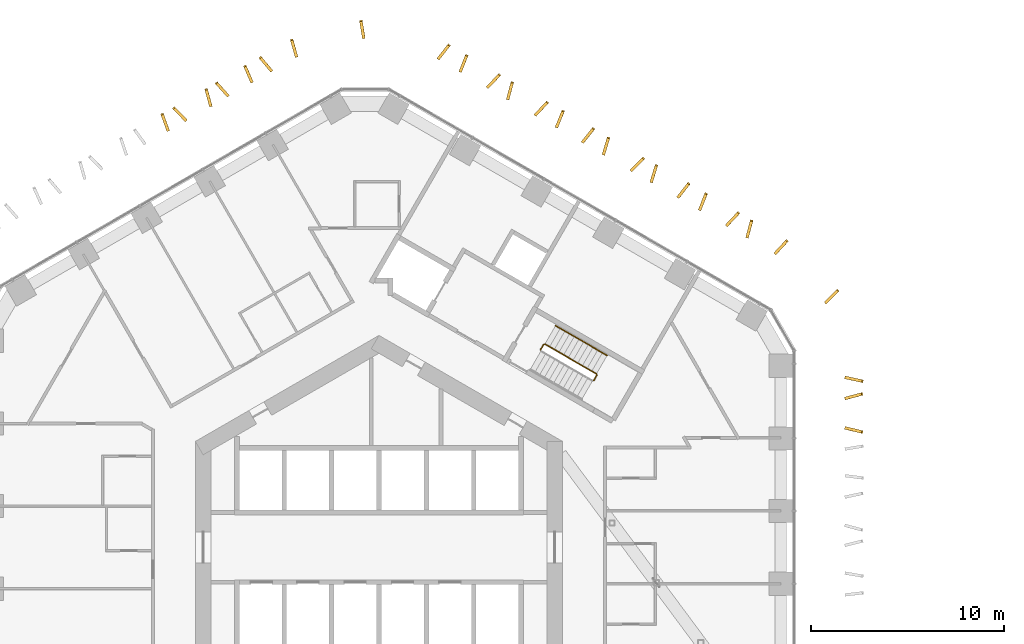
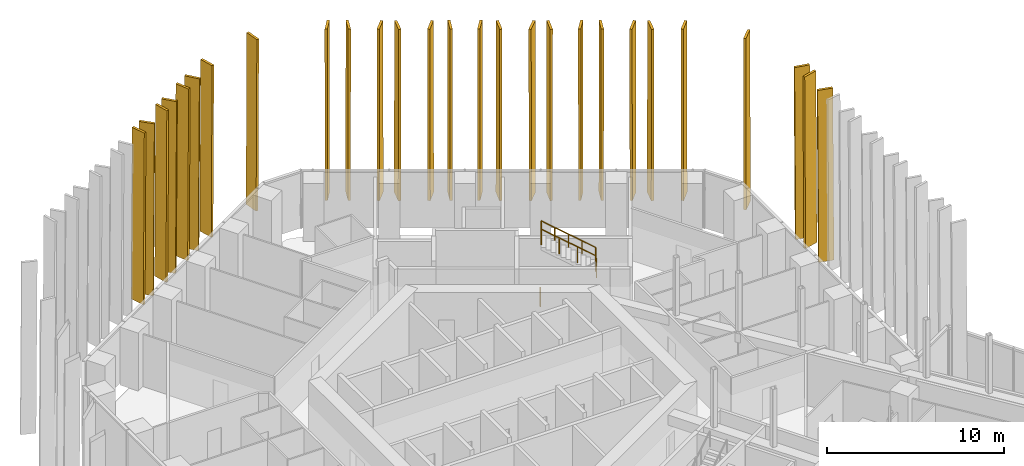
# One storey, part 29 of 29: 27 shading devices, 5 railings.
"""IFC4 building model written with IfcOpenShell, lengths in metres."""

from ifc_helpers import new_model, si_unit, direction, frame, origin, origin_2d, place, context, subcontext, project, spatial, polyline, circle, outline, extrude, material, layer, layer_set, type_object, element, save


model = new_model("IFC4")

# Units and contexts
model_context = context("Model", 3, precision=1e-05, world=origin(), true_north=direction((0.0, 1.0)))
body_context = subcontext(model_context, "Body", "Model", "MODEL_VIEW")
ifc_project = project(units=[si_unit("LENGTHUNIT", "METRE"), si_unit("AREAUNIT", "SQUARE_METRE"), si_unit("VOLUMEUNIT", "CUBIC_METRE"), si_unit("PLANEANGLEUNIT", "RADIAN"), si_unit("MASSUNIT", "GRAM", prefix="KILO")], contexts=[model_context])

# Site, building, storey
site_placement = place(None, origin())
site = spatial("IfcSite", under=ifc_project, at=site_placement, CompositionType="ELEMENT")
building_placement = place(site_placement, origin())
building = spatial("IfcBuilding", under=site, at=building_placement, Name="Ayvan Gate Tower", CompositionType="ELEMENT")
storey_placement = place(building_placement, frame((0.0, 0.0, 66.300048828125)))
storey = spatial("IfcBuildingStorey", under=building, at=storey_placement, Name="L17", CompositionType="ELEMENT", Elevation=66.300048828125)

# Shading devices
ifc_material_1 = material(Name="Bronze anodised aluminium", Category="aluminium")
ifc_layer = layer(ifc_material_1, 0.14990234375)
ifc_layer_set = layer_set([ifc_layer], Name="Bronze anodised aluminium")
shading_device_type = type_object("IfcShadingDeviceType", Name="Bronze fin 900 x 150", PredefinedType="USERDEFINED", material=ifc_layer_set)
shading_device_1_placement = place(storey_placement, frame((24.150634765625, 6.100830078125, 0.0), z_axis=(-0.238417024728, -0.971162863524, 0.00012178894), x_axis=(0.971162870726, -0.238417026496, -3.938e-09)))
element("IfcShadingDevice", 1, at=shading_device_1_placement, inside=storey, type_object=shading_device_type, Name="Bronze fin FG05.6.64", ObjectType="FIN", PredefinedType="USERDEFINED", context=body_context, shape_type="SweptSolid", body=[
    extrude(outline(polyline([(0.0, 0.0), (0.8999833113987153, 3.3881317890172014e-21), (0.8312428486510043, 11.879882903878226), (-0.06897756305794679, 11.879882896788288), (0.0, 0.0)])), origin(), (0.0, 0.0, -1.0), 0.14990234375),
])
shading_device_2_placement = place(storey_placement, frame((24.185302734375, 7.646240234375, 0.0), z_axis=(0.257282762737, -0.966336154193, 0.000130759641), x_axis=(0.966336162455, 0.257282764934, -2.1698e-08)))
element("IfcShadingDevice", 2, at=shading_device_2_placement, inside=storey, type_object=shading_device_type, Name="Bronze fin FG05.6.65", ObjectType="FIN", PredefinedType="USERDEFINED", context=body_context, shape_type="SweptSolid", body=[
    extrude(outline(polyline([(0.0, 0.0), (0.9001366718710863, 3.3881317890172014e-21), (0.8311122180161622, 11.879882932095166), (-0.06885134511529498, 11.879882893036429), (0.0, 0.0)])), origin(), (0.0, 0.0, -1.0), 0.14990234375),
])
shading_device_3_placement = place(storey_placement, frame((24.15576171875, 8.710205078125, 0.0), z_axis=(-0.211196199176, -0.977443680963, 0.000126485872), x_axis=(0.977443688782, -0.211196200867, -1.6769e-08)))
element("IfcShadingDevice", 3, at=shading_device_3_placement, inside=storey, type_object=shading_device_type, Name="Bronze fin FG05.6.66", ObjectType="FIN", PredefinedType="USERDEFINED", context=body_context, shape_type="SweptSolid", body=[
    extrude(outline(polyline([(0.0, 0.0), (0.8999637331924241, 3.3881317890172014e-21), (0.831174832805497, 11.879882921469544), (-0.06873733881444964, 11.879882891286616), (0.0, 0.0)])), origin(), (0.0, 0.0, -1.0), 0.14990234375),
])
shading_device_4_placement = place(storey_placement, frame((23.191650390625, 12.63232421875, 0.0), z_axis=(0.706835489444, -0.707377957202, 0.000128560177), x_axis=(0.707377963048, 0.706835495285, 0.0)))
element("IfcShadingDevice", 4, at=shading_device_4_placement, inside=storey, type_object=shading_device_type, Name="Bronze fin FG05.7.67", ObjectType="FIN", PredefinedType="USERDEFINED", context=body_context, shape_type="SweptSolid", body=[
    extrude(outline(polyline([(0.0, 0.0), (0.9001110909034546, -6.776263578034403e-21), (0.8312297368892299, 11.879882910673683), (-0.06888135401422474, 11.879882910673683), (0.0, 0.0)])), origin(), (0.0, 0.0, -1.0), 0.14990234375),
])
shading_device_5_placement = place(storey_placement, frame((20.580810546875, 15.18505859375, 0.0), z_axis=(0.731749358823, -0.681573809756, 0.0001331014), x_axis=(0.681573815794, 0.731749365305, 0.0)))
element("IfcShadingDevice", 5, at=shading_device_5_placement, inside=storey, type_object=shading_device_type, Name="Bronze fin FG05.8.68", ObjectType="FIN", PredefinedType="USERDEFINED", context=body_context, shape_type="SweptSolid", body=[
    extrude(outline(polyline([(0.0, 0.0), (0.9001598600299624, -6.776263578034403e-21), (0.8312918391552091, 11.8798829177319), (-0.0688680208747533, 11.8798829177319), (0.0, 0.0)])), origin(), (0.0, 0.0, -1.0), 0.14990234375),
])
shading_device_6_placement = place(storey_placement, frame((19.13134765625, 16.058837890625, 0.0), z_axis=(0.965937147481, -0.258776758971, 0.000127014652), x_axis=(0.258776761059, 0.965937155273, 0.0)))
element("IfcShadingDevice", 6, at=shading_device_6_placement, inside=storey, type_object=shading_device_type, Name="Bronze fin FG05.8.69", ObjectType="FIN", PredefinedType="USERDEFINED", context=body_context, shape_type="SweptSolid", body=[
    extrude(outline(polyline([(0.0, 0.0), (0.9000427831971298, -3.3881317890172014e-21), (0.8311432877863656, 11.879882908327426), (-0.0688994954107642, 11.879882908327426), (0.0, 0.0)])), origin(), (0.0, 0.0, -1.0), 0.14990234375),
])
shading_device_7_placement = place(storey_placement, frame((18.069580078125, 16.634033203125, 0.0), z_axis=(0.728673691679, -0.684861033002, 0.000128565279), x_axis=(0.684861038661, 0.728673697703, 1.2708e-08)))
element("IfcShadingDevice", 7, at=shading_device_7_placement, inside=storey, type_object=shading_device_type, Name="Bronze fin FG05.8.70", ObjectType="FIN", PredefinedType="USERDEFINED", context=body_context, shape_type="SweptSolid", body=[
    extrude(outline(polyline([(0.0, 0.0), (0.8998551791041616, 6.776263578034403e-21), (0.8311587876346753, 11.8798829001187), (-0.06886359387150326, 11.87988292299244), (0.0, 0.0)])), origin(), (0.0, 0.0, -1.0), 0.14990234375),
])
shading_device_8_placement = place(storey_placement, frame((16.680908203125, 17.477294921875, 0.0), z_axis=(0.929715671991, -0.368278093005, 0.000124364199), x_axis=(0.368278095855, 0.92971567918, -1.5683e-08)))
element("IfcShadingDevice", 8, at=shading_device_8_placement, inside=storey, type_object=shading_device_type, Name="Bronze fin FG05.8.71", ObjectType="FIN", PredefinedType="USERDEFINED", context=body_context, shape_type="SweptSolid", body=[
    extrude(outline(polyline([(0.0, 0.0), (0.8999651578909859, 0.0), (0.8310595352672119, 11.87988291740336), (-0.06881571097927812, 11.879882889176415), (0.0, 0.0)])), origin(), (0.0, 0.0, -1.0), 0.14990234375),
])
shading_device_9_placement = place(storey_placement, frame((15.55908203125, 18.100830078125, 0.0), z_axis=(0.787075486289, -0.616856679587, 0.000125428022), x_axis=(0.61685668444, 0.787075492479, -1.0495e-08)))
element("IfcShadingDevice", 9, at=shading_device_9_placement, inside=storey, type_object=shading_device_type, Name="Bronze fin FG05.8.72", ObjectType="FIN", PredefinedType="USERDEFINED", context=body_context, shape_type="SweptSolid", body=[
    extrude(outline(polyline([(0.0, 0.0), (0.8999116465086181, 6.776263578034403e-21), (0.8310639134593711, 11.879882914670429), (-0.06903989015190297, 11.87988289577898), (0.0, 0.0)])), origin(), (0.0, 0.0, -1.0), 0.14990234375),
])
shading_device_10_placement = place(storey_placement, frame((14.1748046875, 18.922607421875, 0.0), z_axis=(0.956319966844, -0.292321918943, 0.000129306264), x_axis=(0.292321921385, 0.95631997484, 1.6775e-08)))
element("IfcShadingDevice", 10, at=shading_device_10_placement, inside=storey, type_object=shading_device_type, Name="Bronze fin FG05.8.73", ObjectType="FIN", PredefinedType="USERDEFINED", context=body_context, shape_type="SweptSolid", body=[
    extrude(outline(polyline([(0.0, 0.0), (0.8998678273052448, 1.3552527156068805e-20), (0.8310159557028812, 11.879882897876453), (-0.0689232392589517, 11.87988292806763), (0.0, 0.0)])), origin(), (0.0, 0.0, -1.0), 0.14990234375),
])
shading_device_11_placement = place(storey_placement, frame((13.127197265625, 19.48046875, 0.0), z_axis=(0.70717458747, -0.707038957514, 0.000124073815), x_axis=(0.707038962957, 0.707174592912, -1.1899e-08)))
element("IfcShadingDevice", 11, at=shading_device_11_placement, inside=storey, type_object=shading_device_type, Name="Bronze fin FG05.8.74", ObjectType="FIN", PredefinedType="USERDEFINED", context=body_context, shape_type="SweptSolid", body=[
    extrude(outline(polyline([(0.0, 0.0), (0.9001110205447482, 0.0), (0.8312302653982157, 11.879882913832354), (-0.06870813821221676, 11.879882892413058), (0.0, 0.0)])), origin(), (0.0, 0.0, -1.0), 0.14990234375),
])
shading_device_12_placement = place(storey_placement, frame((11.701416015625, 20.350341796875, 0.0), z_axis=(0.957934462115, -0.28698701994, 0.000129146801), x_axis=(0.286987022334, 0.957934470103, -5.027e-09)))
element("IfcShadingDevice", 12, at=shading_device_12_placement, inside=storey, type_object=shading_device_type, Name="Bronze fin FG05.8.75", ObjectType="FIN", PredefinedType="USERDEFINED", context=body_context, shape_type="SweptSolid", body=[
    extrude(outline(polyline([(0.0, 0.0), (0.8999264852450459, 6.776263578034403e-21), (0.8311534008780816, 11.879882915750262), (-0.06900695508720442, 11.879882906700391), (0.0, 0.0)])), origin(), (0.0, 0.0, -1.0), 0.14990234375),
])
shading_device_13_placement = place(storey_placement, frame((10.620361328125, 20.95068359375, 0.0), z_axis=(0.781569680736, -0.623817938512, 0.000117238691), x_axis=(0.623817942798, 0.781569686108, 1.243e-08)))
element("IfcShadingDevice", 13, at=shading_device_13_placement, inside=storey, type_object=shading_device_type, Name="Bronze fin FG05.8.76", ObjectType="FIN", PredefinedType="USERDEFINED", context=body_context, shape_type="SweptSolid", body=[
    extrude(outline(polyline([(0.0, 0.0), (0.8998680947681464, 0.0), (0.8310479661677864, 11.87988288381407), (-0.06897242790280098, 11.879882906186618), (0.0, 0.0)])), origin(), (0.0, 0.0, -1.0), 0.14990234375),
])
shading_device_14_placement = place(storey_placement, frame((9.2724609375, 21.754638671875, 0.0), z_axis=(0.926499085833, -0.37629699328, 0.00012961316), x_axis=(0.376296996441, 0.926499093615, 0.0)))
element("IfcShadingDevice", 14, at=shading_device_14_placement, inside=storey, type_object=shading_device_type, Name="Bronze fin FG05.8.77", ObjectType="FIN", PredefinedType="USERDEFINED", context=body_context, shape_type="SweptSolid", body=[
    extrude(outline(polyline([(0.0, 0.0), (0.8998824069235871, -6.776263578034403e-21), (0.8310082543728833, 11.879882912288469), (-0.06887415255070381, 11.879882912288469), (0.0, 0.0)])), origin(), (0.0, 0.0, -1.0), 0.14990234375),
])
shading_device_15_placement = place(storey_placement, frame((8.173828125, 22.3486328125, 0.0), z_axis=(0.732798316239, -0.680445891647, 0.000127508756), x_axis=(0.680445897179, 0.732798322196, -9.05e-10)))
element("IfcShadingDevice", 15, at=shading_device_15_placement, inside=storey, type_object=shading_device_type, Name="Bronze fin FG05.8.78", ObjectType="FIN", PredefinedType="USERDEFINED", context=body_context, shape_type="SweptSolid", body=[
    extrude(outline(polyline([(0.0, 0.0), (0.9002099176254508, -6.776263578034403e-21), (0.8311654974113905, 11.879882909826806), (-0.0686993898870647, 11.879882908197384), (0.0, 0.0)])), origin(), (0.0, 0.0, -1.0), 0.14990234375),
])
shading_device_16_placement = place(storey_placement, frame((6.745849609375, 23.209716796875, 0.0), z_axis=(0.965869315943, -0.259029822164, 0.000125495153), x_axis=(0.259029824204, 0.965869323549, 0.0)))
element("IfcShadingDevice", 16, at=shading_device_16_placement, inside=storey, type_object=shading_device_type, Name="Bronze fin FG05.8.79", ObjectType="FIN", PredefinedType="USERDEFINED", context=body_context, shape_type="SweptSolid", body=[
    extrude(outline(polyline([(0.0, 0.0), (0.900105992009892, 0.0), (0.8312061036324822, 11.879882906048337), (-0.06889988837740986, 11.879882906048337), (0.0, 0.0)])), origin(), (0.0, 0.0, -1.0), 0.14990234375),
])
shading_device_17_placement = place(storey_placement, frame((5.6953125, 23.777587890625, 0.0), z_axis=(0.726565394027, -0.687097309341, 0.000125296701), x_axis=(0.687097314733, 0.726565399731, 1.1675e-08)))
element("IfcShadingDevice", 17, at=shading_device_17_placement, inside=storey, type_object=shading_device_type, Name="Bronze fin FG05.8.80", ObjectType="FIN", PredefinedType="USERDEFINED", context=body_context, shape_type="SweptSolid", body=[
    extrude(outline(polyline([(0.0, 0.0), (0.9001187021725674, 0.0), (0.8312504537490107, 11.879882896047608), (-0.0686908642927629, 11.879882917063854), (0.0, 0.0)])), origin(), (0.0, 0.0, -1.0), 0.14990234375),
])
shading_device_18_placement = place(storey_placement, frame((4.293701171875, 24.629150390625, 0.0), z_axis=(0.931320800378, -0.364199876058, 0.000130627601), x_axis=(0.364199879163, 0.931320808324, 1.6503e-08)))
element("IfcShadingDevice", 18, at=shading_device_18_placement, inside=storey, type_object=shading_device_type, Name="Bronze fin FG05.8.81", ObjectType="FIN", PredefinedType="USERDEFINED", context=body_context, shape_type="SweptSolid", body=[
    extrude(outline(polyline([(0.0, 0.0), (0.8998976007846073, 0.0), (0.8311778268345286, 11.879882900140052), (-0.0688086899362025, 11.87988292984274), (0.0, 0.0)])), origin(), (0.0, 0.0, -1.0), 0.14990234375),
])
shading_device_19_placement = place(storey_placement, frame((3.151611328125, 25.2646484375, 0.0), z_axis=(0.788628581977, -0.614869859323, 0.000125641239), x_axis=(0.614869864177, 0.7886285882, -1.3439e-08)))
element("IfcShadingDevice", 19, at=shading_device_19_placement, inside=storey, type_object=shading_device_type, Name="Bronze fin FG05.8.82", ObjectType="FIN", PredefinedType="USERDEFINED", context=body_context, shape_type="SweptSolid", body=[
    extrude(outline(polyline([(0.0, 0.0), (0.9000130097626523, 0.0), (0.8309768719589748, 11.879882917433733), (-0.06888602309074371, 11.879882893245254), (0.0, 0.0)])), origin(), (0.0, 0.0, -1.0), 0.14990234375),
])
shading_device_20_placement = place(storey_placement, frame((-0.719482421875, 26.40380859375, 0.0), z_axis=(0.98657658759, 0.16329917672, 0.000125306346), x_axis=(-0.163299178002, 0.986576595336, 0.0)))
element("IfcShadingDevice", 20, at=shading_device_20_placement, inside=storey, type_object=shading_device_type, Name="Bronze fin FG05.9.83", ObjectType="FIN", PredefinedType="USERDEFINED", context=body_context, shape_type="SweptSolid", body=[
    extrude(outline(polyline([(0.0, 0.0), (0.9000207964825616, 0.0), (0.8312251819272154, 11.879882905767063), (-0.06879561455534632, 11.879882905767063), (0.0, 0.0)])), origin(), (0.0, 0.0, -1.0), 0.14990234375),
])
shading_device_21_placement = place(storey_placement, frame((-4.208251953125, 25.45556640625, 0.0), z_axis=(0.962054361217, 0.272857819956, 0.000127092585), x_axis=(-0.27285782216, 0.962054368987, 0.0)))
element("IfcShadingDevice", 21, at=shading_device_21_placement, inside=storey, type_object=shading_device_type, Name="Bronze fin FG05.10.84", ObjectType="FIN", PredefinedType="USERDEFINED", context=body_context, shape_type="SweptSolid", body=[
    extrude(outline(polyline([(0.0, 0.0), (0.9001225136445898, 0.0), (0.8312715009232302, 11.879882908445055), (-0.0688510127213596, 11.879882908445055), (0.0, 0.0)])), origin(), (0.0, 0.0, -1.0), 0.14990234375),
])
shading_device_22_placement = place(storey_placement, frame((-5.531982421875, 24.736328125, 0.0), z_axis=(0.765501754189, 0.643433791969, 0.00014030262), x_axis=(-0.643433798302, 0.765501761724, 0.0)))
element("IfcShadingDevice", 22, at=shading_device_22_placement, inside=storey, type_object=shading_device_type, Name="Bronze fin FG05.10.85", ObjectType="FIN", PredefinedType="USERDEFINED", context=body_context, shape_type="SweptSolid", body=[
    extrude(outline(polyline([(0.0, 0.0), (0.9000173196185746, 0.0), (0.8312539563176844, 11.879882929426712), (-0.06876336330089014, 11.879882929426712), (0.0, 0.0)])), origin(), (0.0, 0.0, -1.0), 0.14990234375),
])
shading_device_23_placement = place(storey_placement, frame((-6.5234375, 24.144287109375, 0.0), z_axis=(0.917026910478, 0.398825313137, 0.000122719427), x_axis=(-0.39882531614, 0.917026917383, 0.0)))
element("IfcShadingDevice", 23, at=shading_device_23_placement, inside=storey, type_object=shading_device_type, Name="Bronze fin FG05.10.86", ObjectType="FIN", PredefinedType="USERDEFINED", context=body_context, shape_type="SweptSolid", body=[
    extrude(outline(polyline([(0.0, 0.0), (0.8998594227250801, -6.776263578034403e-21), (0.8310072903363924, 11.879882901955863), (-0.0688521323886877, 11.879882901955863), (0.0, 0.0)])), origin(), (0.0, 0.0, -1.0), 0.14990234375),
])
shading_device_24_placement = place(storey_placement, frame((-7.77587890625, 23.43994140625, 0.0), z_axis=(0.743745874078, 0.668462459868, 0.00012058147), x_axis=(-0.668462464726, 0.743745879486, -1.0933e-08)))
element("IfcShadingDevice", 24, at=shading_device_24_placement, inside=storey, type_object=shading_device_type, Name="Bronze fin FG05.10.87", ObjectType="FIN", PredefinedType="USERDEFINED", context=body_context, shape_type="SweptSolid", body=[
    extrude(outline(polyline([(0.0, 0.0), (0.9000104283778185, 6.776263578034403e-21), (0.8311238942723969, 11.879882907952377), (-0.06870495552156297, 11.879882888275606), (0.0, 0.0)])), origin(), (0.0, 0.0, -1.0), 0.14990234375),
])
shading_device_25_placement = place(storey_placement, frame((-8.642578125, 22.892822265625, 0.0), z_axis=(0.965063632398, 0.262015589909, 0.000126755952), x_axis=(-0.262015592014, 0.965063640151, 0.0)))
element("IfcShadingDevice", 25, at=shading_device_25_placement, inside=storey, type_object=shading_device_type, Name="Bronze fin FG05.10.88", ObjectType="FIN", PredefinedType="USERDEFINED", context=body_context, shape_type="SweptSolid", body=[
    extrude(outline(polyline([(0.0, 0.0), (0.9000985091657427, -3.3881317890172014e-21), (0.8311911611046262, 11.879882907937464), (-0.06890734806111659, 11.879882907937464), (0.0, 0.0)])), origin(), (0.0, 0.0, -1.0), 0.14990234375),
])
shading_device_26_placement = place(storey_placement, frame((-9.963623046875, 22.17529296875, 0.0), z_axis=(0.717740157305, 0.696311029403, 0.000130091921), x_axis=(-0.696311035295, 0.717740163378, 0.0)))
element("IfcShadingDevice", 26, at=shading_device_26_placement, inside=storey, type_object=shading_device_type, Name="Bronze fin FG05.10.89", ObjectType="FIN", PredefinedType="USERDEFINED", context=body_context, shape_type="SweptSolid", body=[
    extrude(outline(polyline([(0.0, 0.0), (0.9000417236087462, 6.776263578034403e-21), (0.8311296306898108, 11.879882913027023), (-0.06891209291893532, 11.879882913027023), (0.0, 0.0)])), origin(), (0.0, 0.0, -1.0), 0.14990234375),
])
shading_device_27_placement = place(storey_placement, frame((-10.855224609375, 21.63232421875, 0.0), z_axis=(0.940523803093, 0.339727776027, 0.000118367775), x_axis=(-0.339727778408, 0.940523809682, 9.643e-09)))
element("IfcShadingDevice", 27, at=shading_device_27_placement, inside=storey, type_object=shading_device_type, Name="Bronze fin FG05.10.90", ObjectType="FIN", PredefinedType="USERDEFINED", context=body_context, shape_type="SweptSolid", body=[
    extrude(outline(polyline([(0.0, 0.0), (0.9002479195119545, 0.0), (0.8311621920692268, 11.879882887709275), (-0.06877316601985417, 11.879882905068294), (0.0, 0.0)])), origin(), (0.0, 0.0, -1.0), 0.14990234375),
])

# Railings
ifc_material_2 = material(Name="Stainless steel balustrade", Category="steel")
railing_type_1 = type_object("IfcRailingType", Name="RL-GUARD-1100", PredefinedType="GUARDRAIL", material=ifc_material_2)
railing_1_placement = place(storey_placement, frame((11.11669921875, 8.644775390625, 2.0)))
element("IfcRailing", 28, at=railing_1_placement, inside=storey, type_object=railing_type_1, Name="L17 STS1 stair guard 2", PredefinedType="GUARDRAIL", context=body_context, shape_type="SweptSolid", body=[
    extrude(circle(Radius=0.02392578125, at=origin_2d()), frame((0.0, 0.0, 1.076171875), z_axis=(0.499949632511, 0.866054481515, 0.0), x_axis=(-0.866054481515, 0.499949632511, 0.0)), (0.0, 0.0, 1.0), 0.31005859375),
    extrude(circle(Radius=0.02099609375, at=origin_2d()), origin(), (0.0, 0.0, 1.0), 1.052001953125),
    extrude(circle(Radius=0.02099609375, at=origin_2d()), frame((0.155029296875, 0.2685546875, 0.0)), (0.0, 0.0, 1.0), 1.052001953125),
])
railing_2_placement = place(storey_placement, frame((11.25341796875, 8.981689453125, 2.16650390625)))
element("IfcRailing", 29, at=railing_2_placement, inside=storey, type_object=railing_type_1, Name="L17 STS1 stair guard 3", PredefinedType="GUARDRAIL", context=body_context, shape_type="SweptSolid", body=[
    extrude(circle(Radius=0.02392578125, at=origin_2d()), frame((0.0, 0.0, 1.076171875), z_axis=(-0.744155296881, 0.429600682602, 0.511542908886), x_axis=(-0.499967199496, -0.866044340336, 0.0)), (0.0, 0.0, 1.0), 3.584228515625),
    extrude(circle(Radius=0.02099609375, at=origin_2d()), origin(), (0.0, 0.0, 1.0), 1.052001953125),
    extrude(circle(Radius=0.02099609375, at=origin_2d()), frame((-0.88916015625, 0.51318359375, 0.611083984375)), (0.0, 0.0, 1.0), 1.052001953125),
    extrude(circle(Radius=0.02099609375, at=origin_2d()), frame((-1.778076171875, 1.026611328125, 1.222412109375)), (0.0, 0.0, 1.0), 1.052001953125),
    extrude(circle(Radius=0.02099609375, at=origin_2d()), frame((-2.667236328125, 1.539794921875, 1.83349609375)), (0.0, 0.0, 1.0), 1.052001953125),
])
railing_3_placement = place(storey_placement, frame((8.36279296875, 10.23486328125, 0.0)))
element("IfcRailing", 30, at=railing_3_placement, inside=storey, type_object=railing_type_1, Name="L17 STS1 stair guard 4", PredefinedType="GUARDRAIL", context=body_context, shape_type="SweptSolid", body=[
    extrude(circle(Radius=0.02392578125, at=origin_2d()), frame((0.0, 0.0, 1.076171875), z_axis=(0.500290723946, 0.86585748916, 0.0), x_axis=(-0.86585748916, 0.500290723946, 0.0)), (0.0, 0.0, 1.0), 0.309814453125),
    extrude(circle(Radius=0.02099609375, at=origin_2d()), origin(), (0.0, 0.0, 1.0), 1.052001953125),
    extrude(circle(Radius=0.02099609375, at=origin_2d()), frame((0.155029296875, 0.268310546875, 0.0)), (0.0, 0.0, 1.0), 1.052001953125),
])
railing_type_2 = type_object("IfcRailingType", Name="RL-HANDRAIL-900", PredefinedType="HANDRAIL", material=ifc_material_2)
for number, where, name in (
    (31, (11.803466796875, 9.93408203125, 2.16650390625), "L17 STS1 stair handrail 3"),
    (32, (10.4697265625, 10.7041015625, 3.083251953125), "L17 STS1 stair handrail 4"),
):
    element("IfcRailing", number, at=place(storey_placement, frame(where)), inside=storey, type_object=railing_type_2, Name=name, PredefinedType="HANDRAIL", context=body_context, shape_type="SweptSolid", body=[
        extrude(circle(Radius=0.02392578125, at=origin_2d()), frame((0.0, 0.0, 0.8759765625), z_axis=(-0.7441639146, 0.429634447492, 0.511502013422), x_axis=(-0.499992328818, -0.866029832698, 0.0)), (0.0, 0.0, 1.0), 1.792236328125),
        extrude(circle(Radius=0.02099609375, at=origin_2d()), origin(), (0.0, 0.0, 1.0), 0.851806640625),
        extrude(circle(Radius=0.02099609375, at=origin_2d()), frame((-0.6669921875, 0.385009765625, 0.45849609375)), (0.0, 0.0, 1.0), 0.851806640625),
        extrude(circle(Radius=0.02099609375, at=origin_2d()), frame((-1.333740234375, 0.77001953125, 0.916748046875)), (0.0, 0.0, 1.0), 0.851806640625),
    ])

save(model, "model.ifc")
